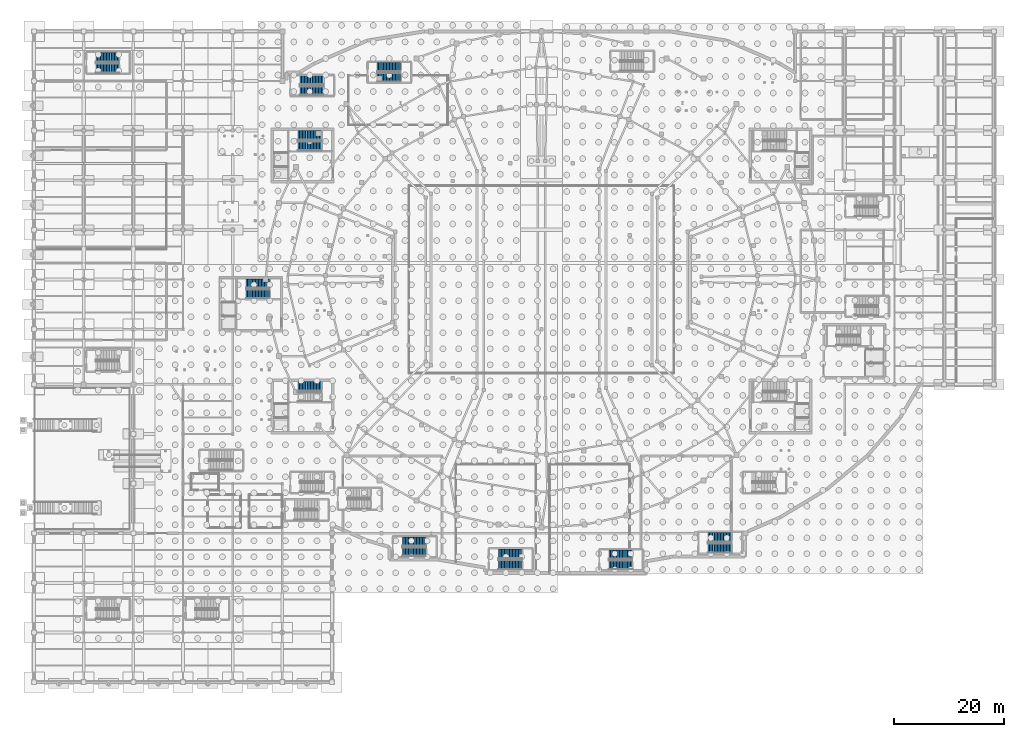
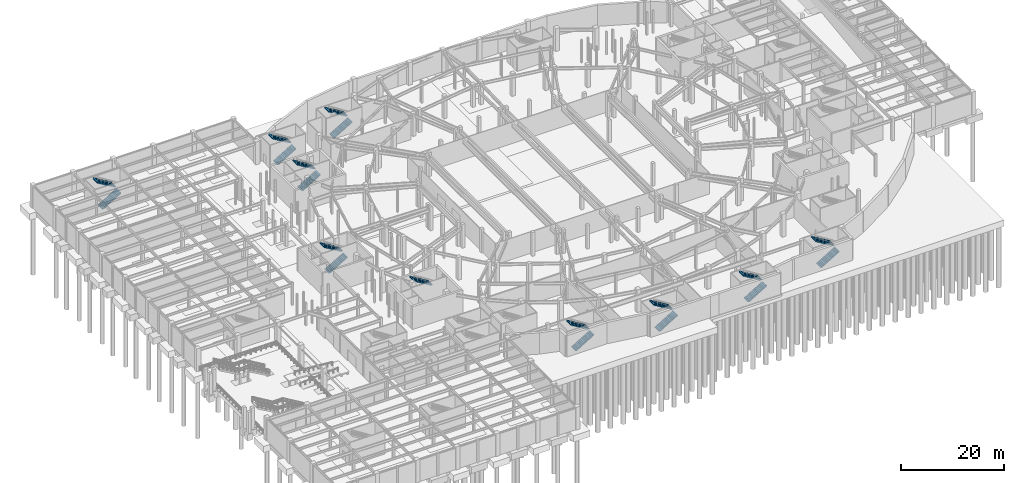
# One storey, part 50 of 56: 19 stair flights, 10 elements without a shape of their own.
"""IFC4 building model written with IfcOpenShell, lengths in metres."""

from ifc_helpers import new_model, si_unit, direction, frame, origin, place, context, subcontext, project, spatial, polyline, outline, extrude, material, type_object, element, aggregate, save


model = new_model("IFC4")

# Units and contexts
model_context = context("Model", 3, precision=1e-05, world=origin(), true_north=direction((0.0, 1.0)))
body_context = subcontext(model_context, "Body", "Model", "MODEL_VIEW")
ifc_project = project(units=[si_unit("LENGTHUNIT", "METRE"), si_unit("AREAUNIT", "SQUARE_METRE"), si_unit("VOLUMEUNIT", "CUBIC_METRE"), si_unit("PLANEANGLEUNIT", "RADIAN"), si_unit("MASSUNIT", "GRAM", prefix="KILO")], contexts=[model_context])

# Site, building, storey
site_placement = place(None, origin())
site = spatial("IfcSite", under=ifc_project, at=site_placement, CompositionType="ELEMENT")
building_placement = place(site_placement, origin())
building = spatial("IfcBuilding", under=site, at=building_placement, Name="Glasvene Arena", CompositionType="ELEMENT")
storey_placement = place(building_placement, frame((0.0, 0.0, -5.39990234375)))
storey = spatial("IfcBuildingStorey", under=building, at=storey_placement, Name="B1", CompositionType="ELEMENT", Elevation=-5.39990234375)

# Stair, stair flights
ifc_material = material(Name="Concrete C40/50", Category="concrete")
stair_type_1 = type_object("IfcStairType", Name="ST-HT-540-165", PredefinedType="HALF_TURN_STAIR", material=ifc_material)
stair_1_placement = place(storey_placement, origin())
stair_1 = element("IfcStair", 1, at=stair_1_placement, inside=storey, type_object=stair_type_1, Name="Protected escape stair ST-07 (B1 to L00)", PredefinedType="HALF_TURN_STAIR")
stair_flight_type_1 = type_object("IfcStairFlightType", Name="SF-HT-540-165", PredefinedType="STRAIGHT", material=ifc_material)
stair_flight_1_placement = place(storey_placement, frame((38.449951171875, 70.375, 0.0), z_axis=(0.0, 0.0, 1.0), x_axis=(1.0, 0.0, 0.0)))
stair_flight_1 = element("IfcStairFlight", 2, at=stair_flight_1_placement, type_object=stair_flight_type_1, Name="Protected escape stair ST-07 (B1 to L00) flight 1", NumberOfRisers=16, NumberOfTreads=15, PredefinedType="STRAIGHT", RiserHeight=0.16875, TreadLength=0.28, context=body_context, shape_type="SweptSolid", body=[
    extrude(outline(polyline([(0.0, 0.0), (0.0, 0.168701171875), (0.280029296875, 0.168701171875), (0.280029296875, 0.33740234375), (0.56005859375, 0.33740234375), (0.56005859375, 0.50634765625), (0.840087890625, 0.50634765625), (0.840087890625, 0.675048828125), (1.1201171875, 0.675048828125), (1.1201171875, 0.84375), (1.39990234375, 0.84375), (1.39990234375, 1.012451171875), (1.679931640625, 1.012451171875), (1.679931640625, 1.18115234375), (1.9599609375, 1.18115234375), (1.9599609375, 1.35009765625), (2.239990234375, 1.35009765625), (2.239990234375, 1.518798828125), (2.52001953125, 1.518798828125), (2.52001953125, 1.6875), (2.800048828125, 1.6875), (2.800048828125, 1.856201171875), (3.080078125, 1.856201171875), (3.080078125, 2.02490234375), (3.360107421875, 2.02490234375), (3.360107421875, 2.19384765625), (3.639892578125, 2.19384765625), (3.639892578125, 2.362548828125), (3.919921875, 2.362548828125), (3.919921875, 2.53125), (4.199951171875, 2.53125), (4.199951171875, 2.699951171875), (4.199951171875, 2.2978515625), (0.387451171875, 0.0), (0.0, 0.0)])), frame((0.0, 0.824951171875, 0.0), z_axis=(0.0, -1.0, 0.0), x_axis=(1.0, 0.0, 0.0)), (0.0, 0.0, 1.0), 1.64990234375),
])
stair_flight_2_placement = place(storey_placement, frame((42.64990234375, 72.27490234375, 2.699951171875), z_axis=(0.0, 0.0, 1.0), x_axis=(-1.0, 0.0, 0.0)))
stair_flight_2 = element("IfcStairFlight", 3, at=stair_flight_2_placement, type_object=stair_flight_type_1, Name="Protected escape stair ST-07 (B1 to L00) flight 2", NumberOfRisers=16, NumberOfTreads=15, PredefinedType="STRAIGHT", RiserHeight=0.16875, TreadLength=0.28, context=body_context, shape_type="SweptSolid", body=[
    extrude(outline(polyline([(0.0, 0.0), (0.0, 0.168701171875), (0.280029296875, 0.168701171875), (0.280029296875, 0.33740234375), (0.56005859375, 0.33740234375), (0.56005859375, 0.50634765625), (0.840087890625, 0.50634765625), (0.840087890625, 0.675048828125), (1.1201171875, 0.675048828125), (1.1201171875, 0.84375), (1.39990234375, 0.84375), (1.39990234375, 1.012451171875), (1.679931640625, 1.012451171875), (1.679931640625, 1.18115234375), (1.9599609375, 1.18115234375), (1.9599609375, 1.35009765625), (2.239990234375, 1.35009765625), (2.239990234375, 1.518798828125), (2.52001953125, 1.518798828125), (2.52001953125, 1.6875), (2.800048828125, 1.6875), (2.800048828125, 1.856201171875), (3.080078125, 1.856201171875), (3.080078125, 2.02490234375), (3.360107421875, 2.02490234375), (3.360107421875, 2.19384765625), (3.639892578125, 2.19384765625), (3.639892578125, 2.362548828125), (3.919921875, 2.362548828125), (3.919921875, 2.53125), (4.199951171875, 2.53125), (4.199951171875, 2.699951171875), (4.199951171875, 2.2978515625), (0.387451171875, 0.0), (0.0, 0.0)])), frame((0.0, 0.824951171875, 0.0), z_axis=(0.0, -1.0, 0.0), x_axis=(1.0, 0.0, 0.0)), (0.0, 0.0, 1.0), 1.64990234375),
])
aggregate(stair_1, [stair_flight_1, stair_flight_2])

stair_2_placement = place(storey_placement, origin())
stair_2 = element("IfcStair", 4, at=stair_2_placement, inside=storey, type_object=stair_type_1, Name="Protected escape stair ST-08 (B1 to L00)", PredefinedType="HALF_TURN_STAIR")
stair_flight_3_placement = place(storey_placement, frame((66.800048828125, 23.625, 0.0), z_axis=(0.0, 0.0, 1.0), x_axis=(1.0, 0.0, 0.0)))
stair_flight_3 = element("IfcStairFlight", 5, at=stair_flight_3_placement, type_object=stair_flight_type_1, Name="Protected escape stair ST-08 (B1 to L00) flight 1", NumberOfRisers=16, NumberOfTreads=15, PredefinedType="STRAIGHT", RiserHeight=0.16875, TreadLength=0.28, context=body_context, shape_type="SweptSolid", body=[
    extrude(outline(polyline([(0.0, 0.0), (0.0, 0.168701171875), (0.280029296875, 0.168701171875), (0.280029296875, 0.33740234375), (0.56005859375, 0.33740234375), (0.56005859375, 0.50634765625), (0.840087890625, 0.50634765625), (0.840087890625, 0.675048828125), (1.1201171875, 0.675048828125), (1.1201171875, 0.84375), (1.39990234375, 0.84375), (1.39990234375, 1.012451171875), (1.679931640625, 1.012451171875), (1.679931640625, 1.18115234375), (1.9599609375, 1.18115234375), (1.9599609375, 1.35009765625), (2.239990234375, 1.35009765625), (2.239990234375, 1.518798828125), (2.52001953125, 1.518798828125), (2.52001953125, 1.6875), (2.800048828125, 1.6875), (2.800048828125, 1.856201171875), (3.080078125, 1.856201171875), (3.080078125, 2.02490234375), (3.360107421875, 2.02490234375), (3.360107421875, 2.19384765625), (3.639892578125, 2.19384765625), (3.639892578125, 2.362548828125), (3.919921875, 2.362548828125), (3.919921875, 2.53125), (4.199951171875, 2.53125), (4.199951171875, 2.699951171875), (4.199951171875, 2.2978515625), (0.387451171875, 0.0), (0.0, 0.0)])), frame((0.0, 0.824951171875, 0.0), z_axis=(0.0, -1.0, 0.0), x_axis=(1.0, 0.0, 0.0)), (0.0, 0.0, 1.0), 1.64990234375),
])
stair_flight_4_placement = place(storey_placement, frame((71.0, 25.52490234375, 2.699951171875), z_axis=(0.0, 0.0, 1.0), x_axis=(-1.0, 0.0, 0.0)))
stair_flight_4 = element("IfcStairFlight", 6, at=stair_flight_4_placement, type_object=stair_flight_type_1, Name="Protected escape stair ST-08 (B1 to L00) flight 2", NumberOfRisers=16, NumberOfTreads=15, PredefinedType="STRAIGHT", RiserHeight=0.16875, TreadLength=0.28, context=body_context, shape_type="SweptSolid", body=[
    extrude(outline(polyline([(0.0, 0.0), (0.0, 0.168701171875), (0.280029296875, 0.168701171875), (0.280029296875, 0.33740234375), (0.56005859375, 0.33740234375), (0.56005859375, 0.50634765625), (0.840087890625, 0.50634765625), (0.840087890625, 0.675048828125), (1.1201171875, 0.675048828125), (1.1201171875, 0.84375), (1.39990234375, 0.84375), (1.39990234375, 1.012451171875), (1.679931640625, 1.012451171875), (1.679931640625, 1.18115234375), (1.9599609375, 1.18115234375), (1.9599609375, 1.35009765625), (2.239990234375, 1.35009765625), (2.239990234375, 1.518798828125), (2.52001953125, 1.518798828125), (2.52001953125, 1.6875), (2.800048828125, 1.6875), (2.800048828125, 1.856201171875), (3.080078125, 1.856201171875), (3.080078125, 2.02490234375), (3.360107421875, 2.02490234375), (3.360107421875, 2.19384765625), (3.639892578125, 2.19384765625), (3.639892578125, 2.362548828125), (3.919921875, 2.362548828125), (3.919921875, 2.53125), (4.199951171875, 2.53125), (4.199951171875, 2.699951171875), (4.199951171875, 2.2978515625), (0.387451171875, 0.0), (0.0, 0.0)])), frame((0.0, 0.824951171875, 0.0), z_axis=(0.0, -1.0, 0.0), x_axis=(1.0, 0.0, 0.0)), (0.0, 0.0, 1.0), 1.64990234375),
])
aggregate(stair_2, [stair_flight_3, stair_flight_4])

stair_3_placement = place(storey_placement, origin())
stair_3 = element("IfcStair", 7, at=stair_3_placement, inside=storey, type_object=stair_type_1, Name="Protected escape stair ST-09 (B1 to L00)", PredefinedType="HALF_TURN_STAIR")
stair_flight_5_placement = place(storey_placement, frame((104.199951171875, 21.22509765625, 0.0), z_axis=(0.0, 0.0, 1.0), x_axis=(1.0, 0.0, 0.0)))
stair_flight_5 = element("IfcStairFlight", 8, at=stair_flight_5_placement, type_object=stair_flight_type_1, Name="Protected escape stair ST-09 (B1 to L00) flight 1", NumberOfRisers=16, NumberOfTreads=15, PredefinedType="STRAIGHT", RiserHeight=0.16875, TreadLength=0.28, context=body_context, shape_type="SweptSolid", body=[
    extrude(outline(polyline([(0.0, 0.0), (0.0, 0.168701171875), (0.280029296875, 0.168701171875), (0.280029296875, 0.33740234375), (0.56005859375, 0.33740234375), (0.56005859375, 0.50634765625), (0.840087890625, 0.50634765625), (0.840087890625, 0.675048828125), (1.1201171875, 0.675048828125), (1.1201171875, 0.84375), (1.39990234375, 0.84375), (1.39990234375, 1.012451171875), (1.679931640625, 1.012451171875), (1.679931640625, 1.18115234375), (1.9599609375, 1.18115234375), (1.9599609375, 1.35009765625), (2.239990234375, 1.35009765625), (2.239990234375, 1.518798828125), (2.52001953125, 1.518798828125), (2.52001953125, 1.6875), (2.800048828125, 1.6875), (2.800048828125, 1.856201171875), (3.080078125, 1.856201171875), (3.080078125, 2.02490234375), (3.360107421875, 2.02490234375), (3.360107421875, 2.19384765625), (3.639892578125, 2.19384765625), (3.639892578125, 2.362548828125), (3.919921875, 2.362548828125), (3.919921875, 2.53125), (4.199951171875, 2.53125), (4.199951171875, 2.699951171875), (4.199951171875, 2.2978515625), (0.387451171875, 0.0), (0.0, 0.0)])), frame((0.0, 0.824951171875, 0.0), z_axis=(0.0, -1.0, 0.0), x_axis=(1.0, 0.0, 0.0)), (0.0, 0.0, 1.0), 1.64990234375),
])
stair_flight_6_placement = place(storey_placement, frame((108.39990234375, 23.125, 2.699951171875), z_axis=(0.0, 0.0, 1.0), x_axis=(-1.0, 0.0, 0.0)))
stair_flight_6 = element("IfcStairFlight", 9, at=stair_flight_6_placement, type_object=stair_flight_type_1, Name="Protected escape stair ST-09 (B1 to L00) flight 2", NumberOfRisers=16, NumberOfTreads=15, PredefinedType="STRAIGHT", RiserHeight=0.16875, TreadLength=0.28, context=body_context, shape_type="SweptSolid", body=[
    extrude(outline(polyline([(0.0, 0.0), (0.0, 0.168701171875), (0.280029296875, 0.168701171875), (0.280029296875, 0.33740234375), (0.56005859375, 0.33740234375), (0.56005859375, 0.50634765625), (0.840087890625, 0.50634765625), (0.840087890625, 0.675048828125), (1.1201171875, 0.675048828125), (1.1201171875, 0.84375), (1.39990234375, 0.84375), (1.39990234375, 1.012451171875), (1.679931640625, 1.012451171875), (1.679931640625, 1.18115234375), (1.9599609375, 1.18115234375), (1.9599609375, 1.35009765625), (2.239990234375, 1.35009765625), (2.239990234375, 1.518798828125), (2.52001953125, 1.518798828125), (2.52001953125, 1.6875), (2.800048828125, 1.6875), (2.800048828125, 1.856201171875), (3.080078125, 1.856201171875), (3.080078125, 2.02490234375), (3.360107421875, 2.02490234375), (3.360107421875, 2.19384765625), (3.639892578125, 2.19384765625), (3.639892578125, 2.362548828125), (3.919921875, 2.362548828125), (3.919921875, 2.53125), (4.199951171875, 2.53125), (4.199951171875, 2.699951171875), (4.199951171875, 2.2978515625), (0.387451171875, 0.0), (0.0, 0.0)])), frame((0.0, 0.824951171875, 0.0), z_axis=(0.0, -1.0, 0.0), x_axis=(1.0, 0.0, 0.0)), (0.0, 0.0, 1.0), 1.64990234375),
])
aggregate(stair_3, [stair_flight_5, stair_flight_6])

stair_4_placement = place(storey_placement, origin())
stair_4 = element("IfcStair", 10, at=stair_4_placement, inside=storey, type_object=stair_type_1, Name="Protected escape stair ST-10 (B1 to L00)", PredefinedType="HALF_TURN_STAIR")
stair_flight_7_placement = place(storey_placement, frame((62.199951171875, 109.625, 0.0), z_axis=(0.0, 0.0, 1.0), x_axis=(1.0, 0.0, 0.0)))
stair_flight_7 = element("IfcStairFlight", 11, at=stair_flight_7_placement, type_object=stair_flight_type_1, Name="Protected escape stair ST-10 (B1 to L00) flight 1", NumberOfRisers=16, NumberOfTreads=15, PredefinedType="STRAIGHT", RiserHeight=0.16875, TreadLength=0.28, context=body_context, shape_type="SweptSolid", body=[
    extrude(outline(polyline([(0.0, 0.0), (0.0, 0.168701171875), (0.280029296875, 0.168701171875), (0.280029296875, 0.33740234375), (0.56005859375, 0.33740234375), (0.56005859375, 0.50634765625), (0.840087890625, 0.50634765625), (0.840087890625, 0.675048828125), (1.1201171875, 0.675048828125), (1.1201171875, 0.84375), (1.39990234375, 0.84375), (1.39990234375, 1.012451171875), (1.679931640625, 1.012451171875), (1.679931640625, 1.18115234375), (1.9599609375, 1.18115234375), (1.9599609375, 1.35009765625), (2.239990234375, 1.35009765625), (2.239990234375, 1.518798828125), (2.52001953125, 1.518798828125), (2.52001953125, 1.6875), (2.800048828125, 1.6875), (2.800048828125, 1.856201171875), (3.080078125, 1.856201171875), (3.080078125, 2.02490234375), (3.360107421875, 2.02490234375), (3.360107421875, 2.19384765625), (3.639892578125, 2.19384765625), (3.639892578125, 2.362548828125), (3.919921875, 2.362548828125), (3.919921875, 2.53125), (4.199951171875, 2.53125), (4.199951171875, 2.699951171875), (4.199951171875, 2.2978515625), (0.387451171875, 0.0), (0.0, 0.0)])), frame((0.0, 0.824951171875, 0.0), z_axis=(0.0, -1.0, 0.0), x_axis=(1.0, 0.0, 0.0)), (0.0, 0.0, 1.0), 1.64990234375),
])
stair_flight_8_placement = place(storey_placement, frame((66.39990234375, 111.52490234375, 2.699951171875), z_axis=(0.0, 0.0, 1.0), x_axis=(-1.0, 0.0, 0.0)))
stair_flight_8 = element("IfcStairFlight", 12, at=stair_flight_8_placement, type_object=stair_flight_type_1, Name="Protected escape stair ST-10 (B1 to L00) flight 2", NumberOfRisers=16, NumberOfTreads=15, PredefinedType="STRAIGHT", RiserHeight=0.16875, TreadLength=0.28, context=body_context, shape_type="SweptSolid", body=[
    extrude(outline(polyline([(0.0, 0.0), (0.0, 0.168701171875), (0.280029296875, 0.168701171875), (0.280029296875, 0.33740234375), (0.56005859375, 0.33740234375), (0.56005859375, 0.50634765625), (0.840087890625, 0.50634765625), (0.840087890625, 0.675048828125), (1.1201171875, 0.675048828125), (1.1201171875, 0.84375), (1.39990234375, 0.84375), (1.39990234375, 1.012451171875), (1.679931640625, 1.012451171875), (1.679931640625, 1.18115234375), (1.9599609375, 1.18115234375), (1.9599609375, 1.35009765625), (2.239990234375, 1.35009765625), (2.239990234375, 1.518798828125), (2.52001953125, 1.518798828125), (2.52001953125, 1.6875), (2.800048828125, 1.6875), (2.800048828125, 1.856201171875), (3.080078125, 1.856201171875), (3.080078125, 2.02490234375), (3.360107421875, 2.02490234375), (3.360107421875, 2.19384765625), (3.639892578125, 2.19384765625), (3.639892578125, 2.362548828125), (3.919921875, 2.362548828125), (3.919921875, 2.53125), (4.199951171875, 2.53125), (4.199951171875, 2.699951171875), (4.199951171875, 2.2978515625), (0.387451171875, 0.0), (0.0, 0.0)])), frame((0.0, 0.824951171875, 0.0), z_axis=(0.0, -1.0, 0.0), x_axis=(1.0, 0.0, 0.0)), (0.0, 0.0, 1.0), 1.64990234375),
])
aggregate(stair_4, [stair_flight_7, stair_flight_8])

stair_5_placement = place(storey_placement, origin())
stair_5 = element("IfcStair", 13, at=stair_5_placement, inside=storey, type_object=stair_type_1, Name="Protected escape stair ST-12 (B1 to L00)", PredefinedType="HALF_TURN_STAIR")
stair_flight_9_placement = place(storey_placement, frame((48.199951171875, 107.22509765625, 0.0), z_axis=(0.0, 0.0, 1.0), x_axis=(1.0, 0.0, 0.0)))
stair_flight_9 = element("IfcStairFlight", 14, at=stair_flight_9_placement, type_object=stair_flight_type_1, Name="Protected escape stair ST-12 (B1 to L00) flight 1", NumberOfRisers=16, NumberOfTreads=15, PredefinedType="STRAIGHT", RiserHeight=0.16875, TreadLength=0.28, context=body_context, shape_type="SweptSolid", body=[
    extrude(outline(polyline([(0.0, 0.0), (0.0, 0.168701171875), (0.280029296875, 0.168701171875), (0.280029296875, 0.33740234375), (0.56005859375, 0.33740234375), (0.56005859375, 0.50634765625), (0.840087890625, 0.50634765625), (0.840087890625, 0.675048828125), (1.1201171875, 0.675048828125), (1.1201171875, 0.84375), (1.39990234375, 0.84375), (1.39990234375, 1.012451171875), (1.679931640625, 1.012451171875), (1.679931640625, 1.18115234375), (1.9599609375, 1.18115234375), (1.9599609375, 1.35009765625), (2.239990234375, 1.35009765625), (2.239990234375, 1.518798828125), (2.52001953125, 1.518798828125), (2.52001953125, 1.6875), (2.800048828125, 1.6875), (2.800048828125, 1.856201171875), (3.080078125, 1.856201171875), (3.080078125, 2.02490234375), (3.360107421875, 2.02490234375), (3.360107421875, 2.19384765625), (3.639892578125, 2.19384765625), (3.639892578125, 2.362548828125), (3.919921875, 2.362548828125), (3.919921875, 2.53125), (4.199951171875, 2.53125), (4.199951171875, 2.699951171875), (4.199951171875, 2.2978515625), (0.387451171875, 0.0), (0.0, 0.0)])), frame((0.0, 0.824951171875, 0.0), z_axis=(0.0, -1.0, 0.0), x_axis=(1.0, 0.0, 0.0)), (0.0, 0.0, 1.0), 1.64990234375),
])
stair_flight_10_placement = place(storey_placement, frame((52.39990234375, 109.125, 2.699951171875), z_axis=(0.0, 0.0, 1.0), x_axis=(-1.0, 0.0, 0.0)))
stair_flight_10 = element("IfcStairFlight", 15, at=stair_flight_10_placement, type_object=stair_flight_type_1, Name="Protected escape stair ST-12 (B1 to L00) flight 2", NumberOfRisers=16, NumberOfTreads=15, PredefinedType="STRAIGHT", RiserHeight=0.16875, TreadLength=0.28, context=body_context, shape_type="SweptSolid", body=[
    extrude(outline(polyline([(0.0, 0.0), (0.0, 0.168701171875), (0.280029296875, 0.168701171875), (0.280029296875, 0.33740234375), (0.56005859375, 0.33740234375), (0.56005859375, 0.50634765625), (0.840087890625, 0.50634765625), (0.840087890625, 0.675048828125), (1.1201171875, 0.675048828125), (1.1201171875, 0.84375), (1.39990234375, 0.84375), (1.39990234375, 1.012451171875), (1.679931640625, 1.012451171875), (1.679931640625, 1.18115234375), (1.9599609375, 1.18115234375), (1.9599609375, 1.35009765625), (2.239990234375, 1.35009765625), (2.239990234375, 1.518798828125), (2.52001953125, 1.518798828125), (2.52001953125, 1.6875), (2.800048828125, 1.6875), (2.800048828125, 1.856201171875), (3.080078125, 1.856201171875), (3.080078125, 2.02490234375), (3.360107421875, 2.02490234375), (3.360107421875, 2.19384765625), (3.639892578125, 2.19384765625), (3.639892578125, 2.362548828125), (3.919921875, 2.362548828125), (3.919921875, 2.53125), (4.199951171875, 2.53125), (4.199951171875, 2.699951171875), (4.199951171875, 2.2978515625), (0.387451171875, 0.0), (0.0, 0.0)])), frame((0.0, 0.824951171875, 0.0), z_axis=(0.0, -1.0, 0.0), x_axis=(1.0, 0.0, 0.0)), (0.0, 0.0, 1.0), 1.64990234375),
])
aggregate(stair_5, [stair_flight_9, stair_flight_10])

stair_type_2 = type_object("IfcStairType", Name="ST-HT-540-170", PredefinedType="HALF_TURN_STAIR", material=ifc_material)
stair_6_placement = place(storey_placement, origin())
stair_6 = element("IfcStair", 16, at=stair_6_placement, inside=storey, type_object=stair_type_2, Name="Protected escape stair ST-01 (B1 to L00)", PredefinedType="HALF_TURN_STAIR")
stair_flight_type_2 = type_object("IfcStairFlightType", Name="SF-HT-540-170", PredefinedType="STRAIGHT", material=ifc_material)
stair_flight_11_placement = place(storey_placement, frame((47.85009765625, 97.199951171875, 0.0), z_axis=(0.0, 0.0, 1.0), x_axis=(1.0, 0.0, 0.0)))
stair_flight_11 = element("IfcStairFlight", 17, at=stair_flight_11_placement, type_object=stair_flight_type_2, Name="Protected escape stair ST-01 (B1 to L00) flight 1", NumberOfRisers=16, NumberOfTreads=15, PredefinedType="STRAIGHT", RiserHeight=0.16875, TreadLength=0.28, context=body_context, shape_type="SweptSolid", body=[
    extrude(outline(polyline([(0.0, 0.0), (0.0, 0.168701171875), (0.280029296875, 0.168701171875), (0.280029296875, 0.33740234375), (0.56005859375, 0.33740234375), (0.56005859375, 0.50634765625), (0.840087890625, 0.50634765625), (0.840087890625, 0.675048828125), (1.1201171875, 0.675048828125), (1.1201171875, 0.84375), (1.39990234375, 0.84375), (1.39990234375, 1.012451171875), (1.679931640625, 1.012451171875), (1.679931640625, 1.18115234375), (1.9599609375, 1.18115234375), (1.9599609375, 1.35009765625), (2.239990234375, 1.35009765625), (2.239990234375, 1.518798828125), (2.52001953125, 1.518798828125), (2.52001953125, 1.6875), (2.800048828125, 1.6875), (2.800048828125, 1.856201171875), (3.080078125, 1.856201171875), (3.080078125, 2.02490234375), (3.360107421875, 2.02490234375), (3.360107421875, 2.19384765625), (3.639892578125, 2.19384765625), (3.639892578125, 2.362548828125), (3.919921875, 2.362548828125), (3.919921875, 2.53125), (4.199951171875, 2.53125), (4.199951171875, 2.699951171875), (4.199951171875, 2.2978515625), (0.387451171875, 0.0), (0.0, 0.0)])), frame((0.0, 0.85009765625, 0.0), z_axis=(0.0, -1.0, 0.0), x_axis=(1.0, 0.0, 0.0)), (0.0, 0.0, 1.0), 1.699951171875),
])
stair_flight_12_placement = place(storey_placement, frame((52.050048828125, 99.14990234375, 2.699951171875), z_axis=(0.0, 0.0, 1.0), x_axis=(-1.0, 0.0, 0.0)))
stair_flight_12 = element("IfcStairFlight", 18, at=stair_flight_12_placement, type_object=stair_flight_type_2, Name="Protected escape stair ST-01 (B1 to L00) flight 2", NumberOfRisers=16, NumberOfTreads=15, PredefinedType="STRAIGHT", RiserHeight=0.16875, TreadLength=0.28, context=body_context, shape_type="SweptSolid", body=[
    extrude(outline(polyline([(0.0, 0.0), (0.0, 0.168701171875), (0.280029296875, 0.168701171875), (0.280029296875, 0.33740234375), (0.56005859375, 0.33740234375), (0.56005859375, 0.50634765625), (0.840087890625, 0.50634765625), (0.840087890625, 0.675048828125), (1.1201171875, 0.675048828125), (1.1201171875, 0.84375), (1.39990234375, 0.84375), (1.39990234375, 1.012451171875), (1.679931640625, 1.012451171875), (1.679931640625, 1.18115234375), (1.9599609375, 1.18115234375), (1.9599609375, 1.35009765625), (2.239990234375, 1.35009765625), (2.239990234375, 1.518798828125), (2.52001953125, 1.518798828125), (2.52001953125, 1.6875), (2.800048828125, 1.6875), (2.800048828125, 1.856201171875), (3.080078125, 1.856201171875), (3.080078125, 2.02490234375), (3.360107421875, 2.02490234375), (3.360107421875, 2.19384765625), (3.639892578125, 2.19384765625), (3.639892578125, 2.362548828125), (3.919921875, 2.362548828125), (3.919921875, 2.53125), (4.199951171875, 2.53125), (4.199951171875, 2.699951171875), (4.199951171875, 2.2978515625), (0.387451171875, 0.0), (0.0, 0.0)])), frame((0.0, 0.85009765625, 0.0), z_axis=(0.0, -1.0, 0.0), x_axis=(1.0, 0.0, 0.0)), (0.0, 0.0, 1.0), 1.699951171875),
])
aggregate(stair_6, [stair_flight_11, stair_flight_12])

# Stair, stair flight
stair_7_placement = place(storey_placement, origin())
stair_7 = element("IfcStair", 19, at=stair_7_placement, inside=storey, type_object=stair_type_2, Name="Protected escape stair ST-03 (B1 to L00)", PredefinedType="HALF_TURN_STAIR")
stair_flight_13_placement = place(storey_placement, frame((52.050048828125, 53.64990234375, 2.699951171875), z_axis=(0.0, 0.0, 1.0), x_axis=(-1.0, 0.0, 0.0)))
stair_flight_13 = element("IfcStairFlight", 20, at=stair_flight_13_placement, type_object=stair_flight_type_2, Name="Protected escape stair ST-03 (B1 to L00) flight 2", NumberOfRisers=16, NumberOfTreads=15, PredefinedType="STRAIGHT", RiserHeight=0.16875, TreadLength=0.28, context=body_context, shape_type="SweptSolid", body=[
    extrude(outline(polyline([(0.0, 0.0), (0.0, 0.168701171875), (0.280029296875, 0.168701171875), (0.280029296875, 0.33740234375), (0.56005859375, 0.33740234375), (0.56005859375, 0.50634765625), (0.840087890625, 0.50634765625), (0.840087890625, 0.675048828125), (1.1201171875, 0.675048828125), (1.1201171875, 0.84375), (1.39990234375, 0.84375), (1.39990234375, 1.012451171875), (1.679931640625, 1.012451171875), (1.679931640625, 1.18115234375), (1.9599609375, 1.18115234375), (1.9599609375, 1.35009765625), (2.239990234375, 1.35009765625), (2.239990234375, 1.518798828125), (2.52001953125, 1.518798828125), (2.52001953125, 1.6875), (2.800048828125, 1.6875), (2.800048828125, 1.856201171875), (3.080078125, 1.856201171875), (3.080078125, 2.02490234375), (3.360107421875, 2.02490234375), (3.360107421875, 2.19384765625), (3.639892578125, 2.19384765625), (3.639892578125, 2.362548828125), (3.919921875, 2.362548828125), (3.919921875, 2.53125), (4.199951171875, 2.53125), (4.199951171875, 2.699951171875), (4.199951171875, 2.2978515625), (0.387451171875, 0.0), (0.0, 0.0)])), frame((0.0, 0.85009765625, 0.0), z_axis=(0.0, -1.0, 0.0), x_axis=(1.0, 0.0, 0.0)), (0.0, 0.0, 1.0), 1.699951171875),
])
aggregate(stair_7, [stair_flight_13])

# Stair, stair flights
stair_type_3 = type_object("IfcStairType", Name="ST-HT-540-175", PredefinedType="HALF_TURN_STAIR", material=ifc_material)
stair_8_placement = place(storey_placement, origin())
stair_8 = element("IfcStair", 21, at=stair_8_placement, inside=storey, type_object=stair_type_3, Name="Protected escape stair ST-14 (B1 to L00)", PredefinedType="HALF_TURN_STAIR")
stair_flight_type_3 = type_object("IfcStairFlightType", Name="SF-HT-540-175", PredefinedType="STRAIGHT", material=ifc_material)
stair_flight_14_placement = place(storey_placement, frame((11.199951171875, 111.27490234375, 0.0), z_axis=(0.0, 0.0, 1.0), x_axis=(1.0, 0.0, 0.0)))
stair_flight_14 = element("IfcStairFlight", 22, at=stair_flight_14_placement, type_object=stair_flight_type_3, Name="Protected escape stair ST-14 (B1 to L00) flight 1", NumberOfRisers=16, NumberOfTreads=15, PredefinedType="STRAIGHT", RiserHeight=0.16875, TreadLength=0.28, context=body_context, shape_type="SweptSolid", body=[
    extrude(outline(polyline([(0.0, 0.0), (0.0, 0.168701171875), (0.280029296875, 0.168701171875), (0.280029296875, 0.33740234375), (0.56005859375, 0.33740234375), (0.56005859375, 0.50634765625), (0.840087890625, 0.50634765625), (0.840087890625, 0.675048828125), (1.1201171875, 0.675048828125), (1.1201171875, 0.84375), (1.39990234375, 0.84375), (1.39990234375, 1.012451171875), (1.679931640625, 1.012451171875), (1.679931640625, 1.18115234375), (1.9599609375, 1.18115234375), (1.9599609375, 1.35009765625), (2.239990234375, 1.35009765625), (2.239990234375, 1.518798828125), (2.52001953125, 1.518798828125), (2.52001953125, 1.6875), (2.800048828125, 1.6875), (2.800048828125, 1.856201171875), (3.080078125, 1.856201171875), (3.080078125, 2.02490234375), (3.360107421875, 2.02490234375), (3.360107421875, 2.19384765625), (3.639892578125, 2.19384765625), (3.639892578125, 2.362548828125), (3.919921875, 2.362548828125), (3.919921875, 2.53125), (4.199951171875, 2.53125), (4.199951171875, 2.699951171875), (4.199951171875, 2.2978515625), (0.387451171875, 0.0), (0.0, 0.0)])), frame((0.0, 0.875, 0.0), z_axis=(0.0, -1.0, 0.0), x_axis=(1.0, 0.0, 0.0)), (0.0, 0.0, 1.0), 1.75),
])
stair_flight_15_placement = place(storey_placement, frame((15.39990234375, 113.27490234375, 2.699951171875), z_axis=(0.0, 0.0, 1.0), x_axis=(-1.0, 0.0, 0.0)))
stair_flight_15 = element("IfcStairFlight", 23, at=stair_flight_15_placement, type_object=stair_flight_type_3, Name="Protected escape stair ST-14 (B1 to L00) flight 2", NumberOfRisers=16, NumberOfTreads=15, PredefinedType="STRAIGHT", RiserHeight=0.16875, TreadLength=0.28, context=body_context, shape_type="SweptSolid", body=[
    extrude(outline(polyline([(0.0, 0.0), (0.0, 0.168701171875), (0.280029296875, 0.168701171875), (0.280029296875, 0.33740234375), (0.56005859375, 0.33740234375), (0.56005859375, 0.50634765625), (0.840087890625, 0.50634765625), (0.840087890625, 0.675048828125), (1.1201171875, 0.675048828125), (1.1201171875, 0.84375), (1.39990234375, 0.84375), (1.39990234375, 1.012451171875), (1.679931640625, 1.012451171875), (1.679931640625, 1.18115234375), (1.9599609375, 1.18115234375), (1.9599609375, 1.35009765625), (2.239990234375, 1.35009765625), (2.239990234375, 1.518798828125), (2.52001953125, 1.518798828125), (2.52001953125, 1.6875), (2.800048828125, 1.6875), (2.800048828125, 1.856201171875), (3.080078125, 1.856201171875), (3.080078125, 2.02490234375), (3.360107421875, 2.02490234375), (3.360107421875, 2.19384765625), (3.639892578125, 2.19384765625), (3.639892578125, 2.362548828125), (3.919921875, 2.362548828125), (3.919921875, 2.53125), (4.199951171875, 2.53125), (4.199951171875, 2.699951171875), (4.199951171875, 2.2978515625), (0.387451171875, 0.0), (0.0, 0.0)])), frame((0.0, 0.875, 0.0), z_axis=(0.0, -1.0, 0.0), x_axis=(1.0, 0.0, 0.0)), (0.0, 0.0, 1.0), 1.75),
])
aggregate(stair_8, [stair_flight_14, stair_flight_15])

stair_9_placement = place(storey_placement, origin())
stair_9 = element("IfcStair", 24, at=stair_9_placement, inside=storey, type_object=stair_type_3, Name="Protected escape stair ST-B07 (B1 to L00)", PredefinedType="HALF_TURN_STAIR")
stair_flight_16_placement = place(storey_placement, frame((122.199951171875, 24.27490234375, 0.0), z_axis=(0.0, 0.0, 1.0), x_axis=(1.0, 0.0, 0.0)))
stair_flight_16 = element("IfcStairFlight", 25, at=stair_flight_16_placement, type_object=stair_flight_type_3, Name="Protected escape stair ST-B07 (B1 to L00) flight 1", NumberOfRisers=16, NumberOfTreads=15, PredefinedType="STRAIGHT", RiserHeight=0.16875, TreadLength=0.28, context=body_context, shape_type="SweptSolid", body=[
    extrude(outline(polyline([(0.0, 0.0), (0.0, 0.168701171875), (0.280029296875, 0.168701171875), (0.280029296875, 0.33740234375), (0.56005859375, 0.33740234375), (0.56005859375, 0.50634765625), (0.840087890625, 0.50634765625), (0.840087890625, 0.675048828125), (1.1201171875, 0.675048828125), (1.1201171875, 0.84375), (1.39990234375, 0.84375), (1.39990234375, 1.012451171875), (1.679931640625, 1.012451171875), (1.679931640625, 1.18115234375), (1.9599609375, 1.18115234375), (1.9599609375, 1.35009765625), (2.239990234375, 1.35009765625), (2.239990234375, 1.518798828125), (2.52001953125, 1.518798828125), (2.52001953125, 1.6875), (2.800048828125, 1.6875), (2.800048828125, 1.856201171875), (3.080078125, 1.856201171875), (3.080078125, 2.02490234375), (3.360107421875, 2.02490234375), (3.360107421875, 2.19384765625), (3.639892578125, 2.19384765625), (3.639892578125, 2.362548828125), (3.919921875, 2.362548828125), (3.919921875, 2.53125), (4.199951171875, 2.53125), (4.199951171875, 2.699951171875), (4.199951171875, 2.2978515625), (0.387451171875, 0.0), (0.0, 0.0)])), frame((0.0, 0.875, 0.0), z_axis=(0.0, -1.0, 0.0), x_axis=(1.0, 0.0, 0.0)), (0.0, 0.0, 1.0), 1.75),
])
stair_flight_17_placement = place(storey_placement, frame((126.39990234375, 26.27490234375, 2.699951171875), z_axis=(0.0, 0.0, 1.0), x_axis=(-1.0, 0.0, 0.0)))
stair_flight_17 = element("IfcStairFlight", 26, at=stair_flight_17_placement, type_object=stair_flight_type_3, Name="Protected escape stair ST-B07 (B1 to L00) flight 2", NumberOfRisers=16, NumberOfTreads=15, PredefinedType="STRAIGHT", RiserHeight=0.16875, TreadLength=0.28, context=body_context, shape_type="SweptSolid", body=[
    extrude(outline(polyline([(0.0, 0.0), (0.0, 0.168701171875), (0.280029296875, 0.168701171875), (0.280029296875, 0.33740234375), (0.56005859375, 0.33740234375), (0.56005859375, 0.50634765625), (0.840087890625, 0.50634765625), (0.840087890625, 0.675048828125), (1.1201171875, 0.675048828125), (1.1201171875, 0.84375), (1.39990234375, 0.84375), (1.39990234375, 1.012451171875), (1.679931640625, 1.012451171875), (1.679931640625, 1.18115234375), (1.9599609375, 1.18115234375), (1.9599609375, 1.35009765625), (2.239990234375, 1.35009765625), (2.239990234375, 1.518798828125), (2.52001953125, 1.518798828125), (2.52001953125, 1.6875), (2.800048828125, 1.6875), (2.800048828125, 1.856201171875), (3.080078125, 1.856201171875), (3.080078125, 2.02490234375), (3.360107421875, 2.02490234375), (3.360107421875, 2.19384765625), (3.639892578125, 2.19384765625), (3.639892578125, 2.362548828125), (3.919921875, 2.362548828125), (3.919921875, 2.53125), (4.199951171875, 2.53125), (4.199951171875, 2.699951171875), (4.199951171875, 2.2978515625), (0.387451171875, 0.0), (0.0, 0.0)])), frame((0.0, 0.875, 0.0), z_axis=(0.0, -1.0, 0.0), x_axis=(1.0, 0.0, 0.0)), (0.0, 0.0, 1.0), 1.75),
])
aggregate(stair_9, [stair_flight_16, stair_flight_17])

stair_10_placement = place(storey_placement, origin())
stair_10 = element("IfcStair", 27, at=stair_10_placement, inside=storey, type_object=stair_type_3, Name="Protected escape stair ST-B08 (B1 to L00)", PredefinedType="HALF_TURN_STAIR")
stair_flight_18_placement = place(storey_placement, frame((84.199951171875, 21.27490234375, 0.0), z_axis=(0.0, 0.0, 1.0), x_axis=(1.0, 0.0, 0.0)))
stair_flight_18 = element("IfcStairFlight", 28, at=stair_flight_18_placement, type_object=stair_flight_type_3, Name="Protected escape stair ST-B08 (B1 to L00) flight 1", NumberOfRisers=16, NumberOfTreads=15, PredefinedType="STRAIGHT", RiserHeight=0.16875, TreadLength=0.28, context=body_context, shape_type="SweptSolid", body=[
    extrude(outline(polyline([(0.0, 0.0), (0.0, 0.168701171875), (0.280029296875, 0.168701171875), (0.280029296875, 0.33740234375), (0.56005859375, 0.33740234375), (0.56005859375, 0.50634765625), (0.840087890625, 0.50634765625), (0.840087890625, 0.675048828125), (1.1201171875, 0.675048828125), (1.1201171875, 0.84375), (1.39990234375, 0.84375), (1.39990234375, 1.012451171875), (1.679931640625, 1.012451171875), (1.679931640625, 1.18115234375), (1.9599609375, 1.18115234375), (1.9599609375, 1.35009765625), (2.239990234375, 1.35009765625), (2.239990234375, 1.518798828125), (2.52001953125, 1.518798828125), (2.52001953125, 1.6875), (2.800048828125, 1.6875), (2.800048828125, 1.856201171875), (3.080078125, 1.856201171875), (3.080078125, 2.02490234375), (3.360107421875, 2.02490234375), (3.360107421875, 2.19384765625), (3.639892578125, 2.19384765625), (3.639892578125, 2.362548828125), (3.919921875, 2.362548828125), (3.919921875, 2.53125), (4.199951171875, 2.53125), (4.199951171875, 2.699951171875), (4.199951171875, 2.2978515625), (0.387451171875, 0.0), (0.0, 0.0)])), frame((0.0, 0.875, 0.0), z_axis=(0.0, -1.0, 0.0), x_axis=(1.0, 0.0, 0.0)), (0.0, 0.0, 1.0), 1.75),
])
stair_flight_19_placement = place(storey_placement, frame((88.39990234375, 23.27490234375, 2.699951171875), z_axis=(0.0, 0.0, 1.0), x_axis=(-1.0, 0.0, 0.0)))
stair_flight_19 = element("IfcStairFlight", 29, at=stair_flight_19_placement, type_object=stair_flight_type_3, Name="Protected escape stair ST-B08 (B1 to L00) flight 2", NumberOfRisers=16, NumberOfTreads=15, PredefinedType="STRAIGHT", RiserHeight=0.16875, TreadLength=0.28, context=body_context, shape_type="SweptSolid", body=[
    extrude(outline(polyline([(0.0, 0.0), (0.0, 0.168701171875), (0.280029296875, 0.168701171875), (0.280029296875, 0.33740234375), (0.56005859375, 0.33740234375), (0.56005859375, 0.50634765625), (0.840087890625, 0.50634765625), (0.840087890625, 0.675048828125), (1.1201171875, 0.675048828125), (1.1201171875, 0.84375), (1.39990234375, 0.84375), (1.39990234375, 1.012451171875), (1.679931640625, 1.012451171875), (1.679931640625, 1.18115234375), (1.9599609375, 1.18115234375), (1.9599609375, 1.35009765625), (2.239990234375, 1.35009765625), (2.239990234375, 1.518798828125), (2.52001953125, 1.518798828125), (2.52001953125, 1.6875), (2.800048828125, 1.6875), (2.800048828125, 1.856201171875), (3.080078125, 1.856201171875), (3.080078125, 2.02490234375), (3.360107421875, 2.02490234375), (3.360107421875, 2.19384765625), (3.639892578125, 2.19384765625), (3.639892578125, 2.362548828125), (3.919921875, 2.362548828125), (3.919921875, 2.53125), (4.199951171875, 2.53125), (4.199951171875, 2.699951171875), (4.199951171875, 2.2978515625), (0.387451171875, 0.0), (0.0, 0.0)])), frame((0.0, 0.875, 0.0), z_axis=(0.0, -1.0, 0.0), x_axis=(1.0, 0.0, 0.0)), (0.0, 0.0, 1.0), 1.75),
])
aggregate(stair_10, [stair_flight_18, stair_flight_19])

save(model, "model.ifc")
